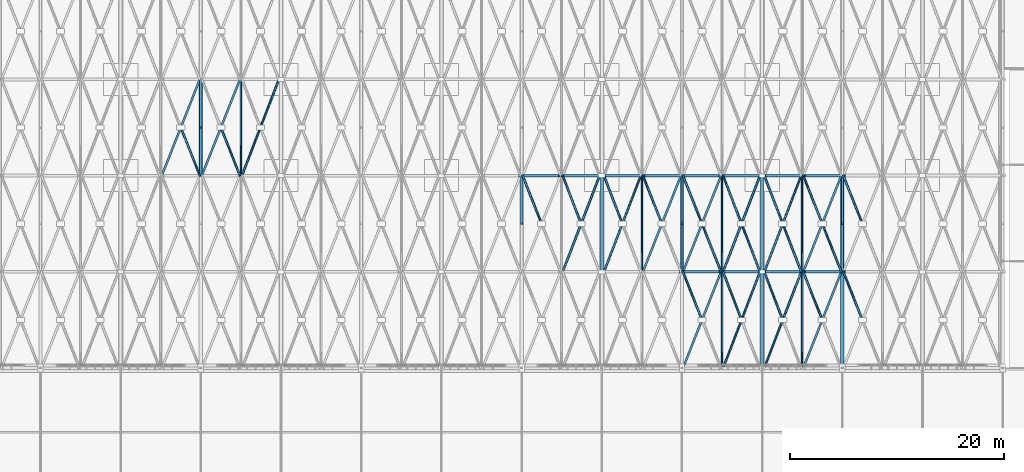
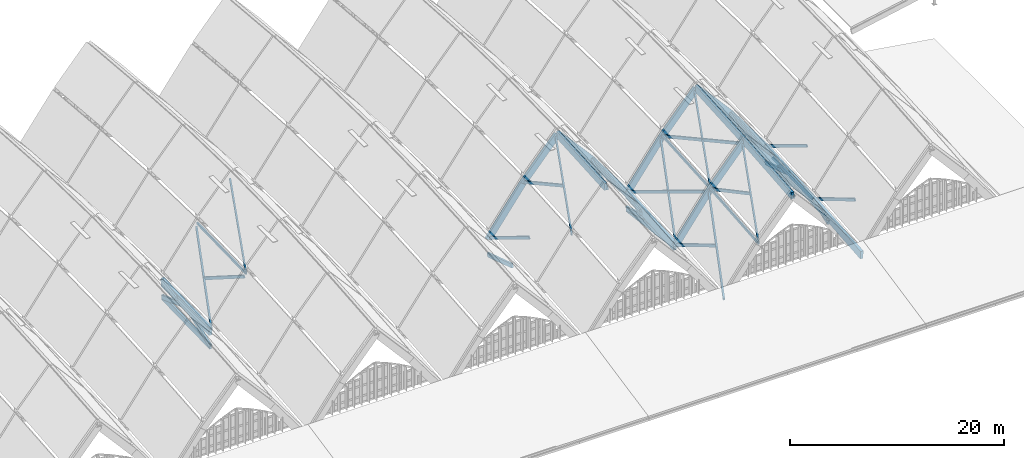
# One storey, part 36 of 93: 48 members, 19 beams.
"""IFC4 building model written with IfcOpenShell, lengths in metres."""

from ifc_helpers import new_model, si_unit, direction, frame, origin, origin_2d, place, context, subcontext, project, spatial, rectangle, extrude, material, material_profile, profile_set, type_object, element, save


model = new_model("IFC4")

# Units and contexts
model_context = context("Model", 3, precision=1e-05, world=origin(), true_north=direction((0.0, 1.0)))
body_context = subcontext(model_context, "Body", "Model", "MODEL_VIEW")
ifc_project = project(units=[si_unit("LENGTHUNIT", "METRE"), si_unit("AREAUNIT", "SQUARE_METRE"), si_unit("VOLUMEUNIT", "CUBIC_METRE"), si_unit("PLANEANGLEUNIT", "RADIAN"), si_unit("MASSUNIT", "GRAM", prefix="KILO")], contexts=[model_context])

# Site, building, storey
site_placement = place(None, origin())
site = spatial("IfcSite", under=ifc_project, at=site_placement, CompositionType="ELEMENT")
building_placement = place(site_placement, origin())
building = spatial("IfcBuilding", under=site, at=building_placement, Name="Vourika Railside Aquatics Centre", CompositionType="ELEMENT")
storey_placement = place(building_placement, frame((0.0, 0.0, 21.89990234375)))
storey = spatial("IfcBuildingStorey", under=building, at=storey_placement, Name="Roof", CompositionType="ELEMENT", Elevation=21.89990234375)

# Beams
ifc_material_1 = material(Name="Glulam GL32h", Category="wood")
ifc_material_profile_1 = material_profile(ifc_material_1, rectangle(XDim=0.239990234375, YDim=0.719970703125, at=origin_2d()), Name="GL32h 240x720")
ifc_profile_set_1 = profile_set([ifc_material_profile_1], Name="Glulam GL32h")
beam_type_1 = type_object("IfcBeamType", Name="BM-GL-ARCH-240x720", PredefinedType="BEAM", material=ifc_profile_set_1)
beam_1_placement = place(storey_placement, frame((96.0, 30.0, -10.314208984375), z_axis=(0.592401494544, 0.0, 0.805642891896), x_axis=(0.0, 1.0, 0.0)))
element("IfcBeam", 1, at=beam_1_placement, inside=storey, type_object=beam_type_1, Name="Pointed Glulam Vault Arch Rib GAR-0145", PredefinedType="BEAM", context=body_context, shape_type="SweptSolid", body=[
    extrude(rectangle(XDim=0.239990234375, YDim=0.719970703125, at=origin_2d()), origin(), (0.0, 0.0, 1.0), 6.330078125),
])
for number, where, z_axis, x_axis, name in (
    (2, (99.75, 30.0, -5.21435546875), (0.657258623263, 0.0, 0.75366511273), (0.0, 1.0, 0.0), "Pointed Glulam Vault Arch Rib GAR-0146"),
    (3, (103.5, 30.0, -0.914306640625), (0.657258623263, 0.0, -0.75366511273), (0.0, 1.0, 0.0), "Pointed Glulam Vault Arch Rib GAR-0147"),
):
    element("IfcBeam", number, at=place(storey_placement, frame(where, z_axis=z_axis, x_axis=x_axis)), inside=storey, type_object=beam_type_1, Name=name, PredefinedType="BEAM", context=body_context, shape_type="SweptSolid", body=[
        extrude(rectangle(XDim=0.239990234375, YDim=0.719970703125, at=origin_2d()), origin(), (0.0, 0.0, 1.0), 5.70556640625),
    ])
beam_2_placement = place(storey_placement, frame((107.25, 30.0, -5.21435546875), z_axis=(0.592401494544, 0.0, -0.805642891896), x_axis=(0.0, 1.0, 0.0)))
element("IfcBeam", 4, at=beam_2_placement, inside=storey, type_object=beam_type_1, Name="Pointed Glulam Vault Arch Rib GAR-0148", PredefinedType="BEAM", context=body_context, shape_type="SweptSolid", body=[
    extrude(rectangle(XDim=0.239990234375, YDim=0.719970703125, at=origin_2d()), origin(), (0.0, 0.0, 1.0), 6.330078125),
])
beam_3_placement = place(storey_placement, frame((111.0, 21.0, -10.89990234375), z_axis=(0.592383087934, 0.0, 0.805656426233), x_axis=(0.0, 1.0, 0.0)))
element("IfcBeam", 5, at=beam_3_placement, inside=storey, type_object=beam_type_1, Name="Pointed Glulam Vault Arch Rib GAR-0175", PredefinedType="BEAM", context=body_context, shape_type="SweptSolid", body=[
    extrude(rectangle(XDim=0.239990234375, YDim=0.719970703125, at=origin_2d()), origin(), (0.0, 0.0, 1.0), 6.330322265625),
])
for number, where, z_axis, x_axis, name in (
    (6, (114.75, 21.0, -5.7998046875), (0.657279819973, 0.0, 0.753646626912), (0.0, 1.0, 0.0), "Pointed Glulam Vault Arch Rib GAR-0176"),
    (7, (118.5, 21.0, -1.5), (0.657279819973, 0.0, -0.753646626912), (0.0, 1.0, 0.0), "Pointed Glulam Vault Arch Rib GAR-0177"),
):
    element("IfcBeam", number, at=place(storey_placement, frame(where, z_axis=z_axis, x_axis=x_axis)), inside=storey, type_object=beam_type_1, Name=name, PredefinedType="BEAM", context=body_context, shape_type="SweptSolid", body=[
        extrude(rectangle(XDim=0.239990234375, YDim=0.719970703125, at=origin_2d()), origin(), (0.0, 0.0, 1.0), 5.705322265625),
    ])
beam_4_placement = place(storey_placement, frame((122.25, 21.0, -5.7998046875), z_axis=(0.592383087934, 0.0, -0.805656426233), x_axis=(0.0, 1.0, 0.0)))
element("IfcBeam", 8, at=beam_4_placement, inside=storey, type_object=beam_type_1, Name="Pointed Glulam Vault Arch Rib GAR-0178", PredefinedType="BEAM", context=body_context, shape_type="SweptSolid", body=[
    extrude(rectangle(XDim=0.239990234375, YDim=0.719970703125, at=origin_2d()), origin(), (0.0, 0.0, 1.0), 6.330322265625),
])
beam_5_placement = place(storey_placement, frame((111.0, 30.0, -10.314208984375), z_axis=(0.592401494544, 0.0, 0.805642891896), x_axis=(0.0, 1.0, 0.0)))
element("IfcBeam", 9, at=beam_5_placement, inside=storey, type_object=beam_type_1, Name="Pointed Glulam Vault Arch Rib GAR-0179", PredefinedType="BEAM", context=body_context, shape_type="SweptSolid", body=[
    extrude(rectangle(XDim=0.239990234375, YDim=0.719970703125, at=origin_2d()), origin(), (0.0, 0.0, 1.0), 6.330078125),
])
for number, where, z_axis, x_axis, name in (
    (10, (114.75, 30.0, -5.21435546875), (0.657258623263, 0.0, 0.75366511273), (0.0, 1.0, 0.0), "Pointed Glulam Vault Arch Rib GAR-0180"),
    (11, (118.5, 30.0, -0.914306640625), (0.657258623263, 0.0, -0.75366511273), (0.0, 1.0, 0.0), "Pointed Glulam Vault Arch Rib GAR-0181"),
):
    element("IfcBeam", number, at=place(storey_placement, frame(where, z_axis=z_axis, x_axis=x_axis)), inside=storey, type_object=beam_type_1, Name=name, PredefinedType="BEAM", context=body_context, shape_type="SweptSolid", body=[
        extrude(rectangle(XDim=0.239990234375, YDim=0.719970703125, at=origin_2d()), origin(), (0.0, 0.0, 1.0), 5.70556640625),
    ])
beam_6_placement = place(storey_placement, frame((122.25, 30.0, -5.21435546875), z_axis=(0.592401494544, 0.0, -0.805642891896), x_axis=(0.0, 1.0, 0.0)))
element("IfcBeam", 12, at=beam_6_placement, inside=storey, type_object=beam_type_1, Name="Pointed Glulam Vault Arch Rib GAR-0182", PredefinedType="BEAM", context=body_context, shape_type="SweptSolid", body=[
    extrude(rectangle(XDim=0.239990234375, YDim=0.719970703125, at=origin_2d()), origin(), (0.0, 0.0, 1.0), 6.330078125),
])
ifc_material_profile_2 = material_profile(ifc_material_1, rectangle(XDim=0.280029296875, YDim=0.800048828125, at=origin_2d()), Name="GL32h 280x800")
ifc_profile_set_2 = profile_set([ifc_material_profile_2], Name="Glulam GL32h")
beam_type_2 = type_object("IfcBeamType", Name="BM-GL-RIDGE-280x800", PredefinedType="BEAM", material=ifc_profile_set_2)
beam_7_placement = place(storey_placement, frame((103.5, 21.0, -1.5), z_axis=(0.0, 0.997889191565, 0.064939674766), x_axis=(-1.0, 0.0, 0.0)))
element("IfcBeam", 13, at=beam_7_placement, inside=storey, type_object=beam_type_2, Name="Vault Pointed Ridge Beam GRB-0166", PredefinedType="BEAM", context=body_context, shape_type="SweptSolid", body=[
    extrude(rectangle(XDim=0.280029296875, YDim=0.800048828125, at=origin_2d()), origin(), (0.0, 0.0, 1.0), 9.01904296875),
])
beam_8_placement = place(storey_placement, frame((118.5, 12.0, -2.2998046875), z_axis=(0.0, 0.996074546839, 0.088518343518), x_axis=(-1.0, 0.0, 0.0)))
element("IfcBeam", 14, at=beam_8_placement, inside=storey, type_object=beam_type_2, Name="Vault Pointed Ridge Beam GRB-0199", PredefinedType="BEAM", context=body_context, shape_type="SweptSolid", body=[
    extrude(rectangle(XDim=0.280029296875, YDim=0.800048828125, at=origin_2d()), origin(), (0.0, 0.0, 1.0), 9.035400390625),
])
beam_9_placement = place(storey_placement, frame((118.5, 21.0, -1.5), z_axis=(0.0, 0.997889191565, 0.064939674766), x_axis=(-1.0, 0.0, 0.0)))
element("IfcBeam", 15, at=beam_9_placement, inside=storey, type_object=beam_type_2, Name="Vault Pointed Ridge Beam GRB-0200", PredefinedType="BEAM", context=body_context, shape_type="SweptSolid", body=[
    extrude(rectangle(XDim=0.280029296875, YDim=0.800048828125, at=origin_2d()), origin(), (0.0, 0.0, 1.0), 9.01904296875),
])
ifc_material_profile_3 = material_profile(ifc_material_1, rectangle(XDim=0.300048828125, YDim=0.89990234375, at=origin_2d()), Name="GL32h 300x900")
ifc_profile_set_3 = profile_set([ifc_material_profile_3], Name="Glulam GL32h")
beam_type_3 = type_object("IfcBeamType", Name="BM-GL-VAL-300x900", PredefinedType="BEAM", material=ifc_profile_set_3)
beam_10_placement = place(storey_placement, frame((126.0, 12.0, -11.699951171875), z_axis=(0.0, 0.996072164085, 0.088545151956), x_axis=(-1.0, 0.0, 0.0)))
element("IfcBeam", 16, at=beam_10_placement, inside=storey, type_object=beam_type_3, Name="Vault Valley Arch Rib VTR-037", PredefinedType="BEAM", context=body_context, shape_type="SweptSolid", body=[
    extrude(rectangle(XDim=0.300048828125, YDim=0.89990234375, at=origin_2d()), origin(), (0.0, 0.0, 1.0), 9.035400390625),
])
beam_11_placement = place(storey_placement, frame((126.0, 21.0, -10.89990234375), z_axis=(0.0, 0.997889191565, 0.064939674766), x_axis=(-1.0, 0.0, 0.0)))
element("IfcBeam", 17, at=beam_11_placement, inside=storey, type_object=beam_type_3, Name="Vault Valley Arch Rib VTR-038", PredefinedType="BEAM", context=body_context, shape_type="SweptSolid", body=[
    extrude(rectangle(XDim=0.300048828125, YDim=0.89990234375, at=origin_2d()), origin(), (0.0, 0.0, 1.0), 9.01904296875),
])
ifc_material_profile_4 = material_profile(ifc_material_1, rectangle(XDim=0.320068359375, YDim=0.9599609375, at=origin_2d()), Name="GL32h 320x960")
ifc_profile_set_4 = profile_set([ifc_material_profile_4], Name="Glulam GL32h")
beam_type_4 = type_object("IfcBeamType", Name="BM-GL-VAL-320x960", PredefinedType="BEAM", material=ifc_profile_set_4)
beam_12_placement = place(storey_placement, frame((66.0, 30.0, -10.314208984375), z_axis=(0.0, 0.999716489335, 0.023810521854), x_axis=(-1.0, 0.0, 0.0)))
element("IfcBeam", 18, at=beam_12_placement, inside=storey, type_object=beam_type_4, Name="Vault Valley Arch Rib VTR-015", PredefinedType="BEAM", context=body_context, shape_type="SweptSolid", body=[
    extrude(rectangle(XDim=0.320068359375, YDim=0.9599609375, at=origin_2d()), origin(), (0.0, 0.0, 1.0), 9.00244140625),
])
beam_13_placement = place(storey_placement, frame((111.0, 21.0, -10.89990234375), z_axis=(0.0, 0.997889191565, 0.064939674766), x_axis=(-1.0, 0.0, 0.0)))
element("IfcBeam", 19, at=beam_13_placement, inside=storey, type_object=beam_type_4, Name="Vault Valley Arch Rib VTR-032", PredefinedType="BEAM", context=body_context, shape_type="SweptSolid", body=[
    extrude(rectangle(XDim=0.320068359375, YDim=0.9599609375, at=origin_2d()), origin(), (0.0, 0.0, 1.0), 9.01904296875),
])

# Members
ifc_material_profile_5 = material_profile(ifc_material_1, rectangle(XDim=0.219970703125, YDim=0.60009765625, at=origin_2d()), Name="GL32h 220x600")
ifc_profile_set_5 = profile_set([ifc_material_profile_5], Name="Glulam GL32h")
member_type_1 = type_object("IfcMemberType", Name="MEM-GL-CHORD", PredefinedType="CHORD", material=ifc_profile_set_5)
member_1_placement = place(storey_placement, frame((66.0, 30.0, -12.064208984375), z_axis=(0.0, 0.999716489335, 0.023810521854), x_axis=(-1.0, 0.0, 0.0)))
element("IfcMember", 20, at=member_1_placement, inside=storey, type_object=member_type_1, Name="Valley Arch Truss Bottom Chord VBC-015", PredefinedType="CHORD", context=body_context, shape_type="SweptSolid", body=[
    extrude(rectangle(XDim=0.219970703125, YDim=0.60009765625, at=origin_2d()), origin(), (0.0, 0.0, 1.0), 9.00244140625),
])
for number, where, z_axis, x_axis, name in (
    (21, (111.0, 21.0, -10.89990234375), (0.0, 0.991735627786, -0.128298264131), (-1.0, 0.0, 0.0), "Valley Arch Truss Bottom Chord VBC-032"),
    (22, (126.0, 21.0, -10.89990234375), (0.0, 0.991735627786, -0.128298264131), (-1.0, 0.0, 0.0), "Valley Arch Truss Bottom Chord VBC-038"),
):
    element("IfcMember", number, at=place(storey_placement, frame(where, z_axis=z_axis, x_axis=x_axis)), inside=storey, type_object=member_type_1, Name=name, PredefinedType="CHORD", context=body_context, shape_type="SweptSolid", body=[
        extrude(rectangle(XDim=0.219970703125, YDim=0.60009765625, at=origin_2d()), origin(), (0.0, 0.0, 1.0), 9.074951171875),
    ])
ifc_material_2 = material(Name="Glulam GL28h", Category="wood")
ifc_material_profile_6 = material_profile(ifc_material_2, rectangle(XDim=0.179931640625, YDim=0.360107421875, at=origin_2d()), Name="GL28h 180x360")
ifc_profile_set_6 = profile_set([ifc_material_profile_6], Name="Glulam GL28h")
member_type_2 = type_object("IfcMemberType", Name="MEM-GL-LATH1", PredefinedType="BRACE", material=ifc_profile_set_6)
member_2_placement = place(storey_placement, frame((62.344970703125, 30.0, -5.339111328125), z_axis=(0.331795949467, 0.838796178929, -0.431662389064), x_axis=(-0.929892910811, 0.367830360933, 0.0)))
element("IfcMember", 23, at=member_2_placement, inside=storey, type_object=member_type_2, Name="Gridshell Continuous Diagonal Lath GLA-0079", PredefinedType="BRACE", context=body_context, shape_type="SweptSolid", body=[
    extrude(rectangle(XDim=0.179931640625, YDim=0.360107421875, at=origin_2d()), origin(), (0.0, 0.0, 1.0), 10.729736328125),
])
member_3_placement = place(storey_placement, frame((66.094970703125, 30.0, -10.1806640625), z_axis=(0.326087343629, 0.824364547766, 0.462698753739), x_axis=(-0.929892910811, 0.367830360933, 0.0)))
element("IfcMember", 24, at=member_3_placement, inside=storey, type_object=member_type_2, Name="Gridshell Continuous Diagonal Lath GLA-0133", PredefinedType="BRACE", context=body_context, shape_type="SweptSolid", body=[
    extrude(rectangle(XDim=0.179931640625, YDim=0.360107421875, at=origin_2d()), origin(), (0.0, 0.0, 1.0), 10.91748046875),
])
member_4_placement = place(storey_placement, frame((107.344970703125, 21.0, -5.92138671875), z_axis=(0.336558619113, 0.85083643773, -0.403491824121), x_axis=(-0.929892910811, 0.367830360933, 0.0)))
element("IfcMember", 25, at=member_4_placement, inside=storey, type_object=member_type_2, Name="Gridshell Continuous Diagonal Lath GLA-0249", PredefinedType="BRACE", context=body_context, shape_type="SweptSolid", body=[
    extrude(rectangle(XDim=0.179931640625, YDim=0.360107421875, at=origin_2d()), origin(), (0.0, 0.0, 1.0), 10.577880859375),
])
member_5_placement = place(storey_placement, frame((111.094970703125, 12.0, -11.56201171875), z_axis=(0.318017835503, 0.80396444164, 0.502499584956), x_axis=(-0.929892910811, 0.367830360933, 0.0)))
element("IfcMember", 26, at=member_5_placement, inside=storey, type_object=member_type_2, Name="Gridshell Continuous Diagonal Lath GLA-0293", PredefinedType="BRACE", context=body_context, shape_type="SweptSolid", body=[
    extrude(rectangle(XDim=0.179931640625, YDim=0.360107421875, at=origin_2d()), origin(), (0.0, 0.0, 1.0), 11.194580078125),
])
member_6_placement = place(storey_placement, frame((122.344970703125, 12.0, -6.72021484375), z_axis=(0.339219023139, 0.857562067548, -0.386675257346), x_axis=(-0.929892910811, 0.367830360933, 0.0)))
element("IfcMember", 27, at=member_6_placement, inside=storey, type_object=member_type_2, Name="Gridshell Continuous Diagonal Lath GLA-0299", PredefinedType="BRACE", context=body_context, shape_type="SweptSolid", body=[
    extrude(rectangle(XDim=0.179931640625, YDim=0.360107421875, at=origin_2d()), origin(), (0.0, 0.0, 1.0), 10.494873046875),
])
member_7_placement = place(storey_placement, frame((111.094970703125, 21.0, -10.76318359375), z_axis=(0.321000574365, 0.811504949484, 0.488281013577), x_axis=(-0.929892910811, 0.367830360933, 0.0)))
element("IfcMember", 28, at=member_7_placement, inside=storey, type_object=member_type_2, Name="Gridshell Continuous Diagonal Lath GLA-0303", PredefinedType="BRACE", context=body_context, shape_type="SweptSolid", body=[
    extrude(rectangle(XDim=0.179931640625, YDim=0.360107421875, at=origin_2d()), origin(), (0.0, 0.0, 1.0), 11.090576171875),
])
member_8_placement = place(storey_placement, frame((122.344970703125, 21.0, -5.92138671875), z_axis=(0.336558619113, 0.85083643773, -0.403491824121), x_axis=(-0.929892910811, 0.367830360933, 0.0)))
element("IfcMember", 29, at=member_8_placement, inside=storey, type_object=member_type_2, Name="Gridshell Continuous Diagonal Lath GLA-0309", PredefinedType="BRACE", context=body_context, shape_type="SweptSolid", body=[
    extrude(rectangle(XDim=0.179931640625, YDim=0.360107421875, at=origin_2d()), origin(), (0.0, 0.0, 1.0), 10.577880859375),
])
ifc_material_profile_7 = material_profile(ifc_material_2, rectangle(XDim=0.159912109375, YDim=0.320068359375, at=origin_2d()), Name="GL28h 160x320")
ifc_profile_set_7 = profile_set([ifc_material_profile_7], Name="Glulam GL28h")
member_type_3 = type_object("IfcMemberType", Name="MEM-GL-LATH2", PredefinedType="BRACE", material=ifc_profile_set_7)
member_9_placement = place(storey_placement, frame((65.905029296875, 30.0, -10.1806640625), z_axis=(-0.326083969568, 0.824356017978, 0.462716328234), x_axis=(-0.929892910811, -0.367830360933, 0.0)))
element("IfcMember", 30, at=member_9_placement, inside=storey, type_object=member_type_3, Name="Gridshell Split Counter Lath GLB1-0080", PredefinedType="BRACE", context=body_context, shape_type="SweptSolid", body=[
    extrude(rectangle(XDim=0.159912109375, YDim=0.320068359375, at=origin_2d()), origin(), (0.0, 0.0, 1.0), 5.458740234375),
])
member_10_placement = place(storey_placement, frame((69.655029296875, 30.0, -5.339111328125), z_axis=(-0.331799208316, 0.838804417456, -0.43164387476), x_axis=(-0.929892910811, -0.367830360933, 0.0)))
element("IfcMember", 31, at=member_10_placement, inside=storey, type_object=member_type_3, Name="Gridshell Split Counter Lath GLB1-0134", PredefinedType="BRACE", context=body_context, shape_type="SweptSolid", body=[
    extrude(rectangle(XDim=0.159912109375, YDim=0.320068359375, at=origin_2d()), origin(), (0.0, 0.0, 1.0), 5.36474609375),
])
member_11_placement = place(storey_placement, frame((69.844970703125, 30.0, -5.100830078125), z_axis=(0.32892073085, 0.856792949552, 0.397135989827), x_axis=(-0.933569951957, 0.358395235463, 0.0)))
element("IfcMember", 32, at=member_11_placement, inside=storey, type_object=member_type_3, Name="Gridshell Continuous Diagonal Lath GLA-0135", PredefinedType="BRACE", context=body_context, shape_type="SweptSolid", body=[
    extrude(rectangle(XDim=0.159912109375, YDim=0.320068359375, at=origin_2d()), origin(), (0.0, 0.0, 1.0), 10.50439453125),
])
member_12_placement = place(storey_placement, frame((97.875, 25.5, -8.055419921875), z_axis=(-0.336558619113, 0.85083643773, -0.403491824121), x_axis=(-0.929892910811, -0.367830360933, 0.0)))
element("IfcMember", 33, at=member_12_placement, inside=storey, type_object=member_type_3, Name="Gridshell Split Counter Lath GLB2-0244", PredefinedType="BRACE", context=body_context, shape_type="SweptSolid", body=[
    extrude(rectangle(XDim=0.159912109375, YDim=0.320068359375, at=origin_2d()), origin(), (0.0, 0.0, 1.0), 5.288818359375),
])
member_13_placement = place(storey_placement, frame((99.844970703125, 21.0, -5.683349609375), z_axis=(0.324299099527, 0.844754240035, 0.425699856693), x_axis=(-0.933569951957, 0.358395235463, 0.0)))
element("IfcMember", 34, at=member_13_placement, inside=storey, type_object=member_type_3, Name="Gridshell Continuous Diagonal Lath GLA-0245", PredefinedType="BRACE", context=body_context, shape_type="SweptSolid", body=[
    extrude(rectangle(XDim=0.159912109375, YDim=0.320068359375, at=origin_2d()), origin(), (0.0, 0.0, 1.0), 10.654052734375),
])
member_14_placement = place(storey_placement, frame((101.572509765625, 25.5, -3.415771484375), z_axis=(-0.338120523205, 0.8807571345, -0.331574097021), x_axis=(-0.933569951957, -0.358395235463, 0.0)))
element("IfcMember", 35, at=member_14_placement, inside=storey, type_object=member_type_3, Name="Gridshell Split Counter Lath GLB2-0246", PredefinedType="BRACE", context=body_context, shape_type="SweptSolid", body=[
    extrude(rectangle(XDim=0.159912109375, YDim=0.320068359375, at=origin_2d()), origin(), (0.0, 0.0, 1.0), 5.109130859375),
])
member_15_placement = place(storey_placement, frame((103.699951171875, 21.0, -1.7216796875), z_axis=(0.338120523205, 0.8807571345, -0.331574097021), x_axis=(-0.933569951957, 0.358395235463, 0.0)))
element("IfcMember", 36, at=member_15_placement, inside=storey, type_object=member_type_3, Name="Gridshell Continuous Diagonal Lath GLA-0247", PredefinedType="BRACE", context=body_context, shape_type="SweptSolid", body=[
    extrude(rectangle(XDim=0.159912109375, YDim=0.320068359375, at=origin_2d()), origin(), (0.0, 0.0, 1.0), 10.218505859375),
])
member_16_placement = place(storey_placement, frame((105.427490234375, 25.5, -3.415771484375), z_axis=(-0.324295935921, 0.844745999277, 0.425718619102), x_axis=(-0.933569951957, -0.358395235463, 0.0)))
element("IfcMember", 37, at=member_16_placement, inside=storey, type_object=member_type_3, Name="Gridshell Split Counter Lath GLB2-0248", PredefinedType="BRACE", context=body_context, shape_type="SweptSolid", body=[
    extrude(rectangle(XDim=0.159912109375, YDim=0.320068359375, at=origin_2d()), origin(), (0.0, 0.0, 1.0), 5.3271484375),
])
member_17_placement = place(storey_placement, frame((109.125, 25.5, -8.055419921875), z_axis=(-0.321004024702, 0.811513672104, 0.488264248244), x_axis=(-0.929892910811, -0.367830360933, 0.0)))
element("IfcMember", 38, at=member_17_placement, inside=storey, type_object=member_type_3, Name="Gridshell Split Counter Lath GLB2-0250", PredefinedType="BRACE", context=body_context, shape_type="SweptSolid", body=[
    extrude(rectangle(XDim=0.159912109375, YDim=0.320068359375, at=origin_2d()), origin(), (0.0, 0.0, 1.0), 5.545166015625),
])
member_18_placement = place(storey_placement, frame((112.875, 16.5, -8.74951171875), z_axis=(-0.339225125603, 0.857577494874, -0.386635686979), x_axis=(-0.929892910811, -0.367830360933, 0.0)))
element("IfcMember", 39, at=member_18_placement, inside=storey, type_object=member_type_3, Name="Gridshell Split Counter Lath GLB2-0294", PredefinedType="BRACE", context=body_context, shape_type="SweptSolid", body=[
    extrude(rectangle(XDim=0.159912109375, YDim=0.320068359375, at=origin_2d()), origin(), (0.0, 0.0, 1.0), 5.247314453125),
])
member_19_placement = place(storey_placement, frame((114.844970703125, 12.0, -6.482177734375), z_axis=(0.321550791273, 0.837595277664, 0.441632471028), x_axis=(-0.933569951957, 0.358395235463, 0.0)))
element("IfcMember", 40, at=member_19_placement, inside=storey, type_object=member_type_3, Name="Gridshell Continuous Diagonal Lath GLA-0295", PredefinedType="BRACE", context=body_context, shape_type="SweptSolid", body=[
    extrude(rectangle(XDim=0.159912109375, YDim=0.320068359375, at=origin_2d()), origin(), (0.0, 0.0, 1.0), 10.7451171875),
])
member_20_placement = place(storey_placement, frame((116.572509765625, 16.5, -4.109619140625), z_axis=(-0.340380210662, 0.886643307367, -0.313057435131), x_axis=(-0.933569951957, -0.358395235463, 0.0)))
element("IfcMember", 41, at=member_20_placement, inside=storey, type_object=member_type_3, Name="Gridshell Split Counter Lath GLB2-0296", PredefinedType="BRACE", context=body_context, shape_type="SweptSolid", body=[
    extrude(rectangle(XDim=0.159912109375, YDim=0.320068359375, at=origin_2d()), origin(), (0.0, 0.0, 1.0), 5.075439453125),
])
member_21_placement = place(storey_placement, frame((118.699951171875, 12.0, -2.5205078125), z_axis=(0.340377647674, 0.886636631138, -0.313079129436), x_axis=(-0.933569951957, 0.358395235463, 0.0)))
element("IfcMember", 42, at=member_21_placement, inside=storey, type_object=member_type_3, Name="Gridshell Continuous Diagonal Lath GLA-0297", PredefinedType="BRACE", context=body_context, shape_type="SweptSolid", body=[
    extrude(rectangle(XDim=0.159912109375, YDim=0.320068359375, at=origin_2d()), origin(), (0.0, 0.0, 1.0), 10.150634765625),
])
member_22_placement = place(storey_placement, frame((120.427490234375, 16.5, -4.109619140625), z_axis=(-0.32154756466, 0.837586872782, 0.441650760448), x_axis=(-0.933569951957, -0.358395235463, 0.0)))
element("IfcMember", 43, at=member_22_placement, inside=storey, type_object=member_type_3, Name="Gridshell Split Counter Lath GLB2-0298", PredefinedType="BRACE", context=body_context, shape_type="SweptSolid", body=[
    extrude(rectangle(XDim=0.159912109375, YDim=0.320068359375, at=origin_2d()), origin(), (0.0, 0.0, 1.0), 5.37255859375),
])
member_23_placement = place(storey_placement, frame((124.125, 16.5, -8.74951171875), z_axis=(-0.318014350334, 0.803955630964, 0.502515886737), x_axis=(-0.929892910811, -0.367830360933, 0.0)))
element("IfcMember", 44, at=member_23_placement, inside=storey, type_object=member_type_3, Name="Gridshell Split Counter Lath GLB2-0300", PredefinedType="BRACE", context=body_context, shape_type="SweptSolid", body=[
    extrude(rectangle(XDim=0.159912109375, YDim=0.320068359375, at=origin_2d()), origin(), (0.0, 0.0, 1.0), 5.597412109375),
])
for number, where, z_axis, x_axis, name in (
    (45, (114.655029296875, 21.0, -5.92138671875), (-0.336558619113, 0.85083643773, -0.403491824121), (-0.929892910811, -0.367830360933, 0.0), "Gridshell Split Counter Lath GLB1-0304"),
    (46, (112.875, 25.5, -8.055419921875), (-0.336558619113, 0.85083643773, -0.403491824121), (-0.929892910811, -0.367830360933, 0.0), "Gridshell Split Counter Lath GLB2-0304"),
):
    element("IfcMember", number, at=place(storey_placement, frame(where, z_axis=z_axis, x_axis=x_axis)), inside=storey, type_object=member_type_3, Name=name, PredefinedType="BRACE", context=body_context, shape_type="SweptSolid", body=[
        extrude(rectangle(XDim=0.159912109375, YDim=0.320068359375, at=origin_2d()), origin(), (0.0, 0.0, 1.0), 5.288818359375),
    ])
member_24_placement = place(storey_placement, frame((114.844970703125, 21.0, -5.683349609375), z_axis=(0.324299099527, 0.844754240035, 0.425699856693), x_axis=(-0.933569951957, 0.358395235463, 0.0)))
element("IfcMember", 47, at=member_24_placement, inside=storey, type_object=member_type_3, Name="Gridshell Continuous Diagonal Lath GLA-0305", PredefinedType="BRACE", context=body_context, shape_type="SweptSolid", body=[
    extrude(rectangle(XDim=0.159912109375, YDim=0.320068359375, at=origin_2d()), origin(), (0.0, 0.0, 1.0), 10.654052734375),
])
for number, where, z_axis, x_axis, name in (
    (48, (118.300048828125, 21.0, -1.7216796875), (-0.338120523205, 0.8807571345, -0.331574097021), (-0.933569951957, -0.358395235463, 0.0), "Gridshell Split Counter Lath GLB1-0306"),
    (49, (116.572509765625, 25.5, -3.415771484375), (-0.338120523205, 0.8807571345, -0.331574097021), (-0.933569951957, -0.358395235463, 0.0), "Gridshell Split Counter Lath GLB2-0306"),
):
    element("IfcMember", number, at=place(storey_placement, frame(where, z_axis=z_axis, x_axis=x_axis)), inside=storey, type_object=member_type_3, Name=name, PredefinedType="BRACE", context=body_context, shape_type="SweptSolid", body=[
        extrude(rectangle(XDim=0.159912109375, YDim=0.320068359375, at=origin_2d()), origin(), (0.0, 0.0, 1.0), 5.109130859375),
    ])
member_25_placement = place(storey_placement, frame((118.699951171875, 21.0, -1.7216796875), z_axis=(0.338120523205, 0.8807571345, -0.331574097021), x_axis=(-0.933569951957, 0.358395235463, 0.0)))
element("IfcMember", 50, at=member_25_placement, inside=storey, type_object=member_type_3, Name="Gridshell Continuous Diagonal Lath GLA-0307", PredefinedType="BRACE", context=body_context, shape_type="SweptSolid", body=[
    extrude(rectangle(XDim=0.159912109375, YDim=0.320068359375, at=origin_2d()), origin(), (0.0, 0.0, 1.0), 10.218505859375),
])
member_26_placement = place(storey_placement, frame((122.155029296875, 21.0, -5.683349609375), z_axis=(-0.324302263056, 0.84476248059, 0.425681093735), x_axis=(-0.933569951957, -0.358395235463, 0.0)))
element("IfcMember", 51, at=member_26_placement, inside=storey, type_object=member_type_3, Name="Gridshell Split Counter Lath GLB1-0308", PredefinedType="BRACE", context=body_context, shape_type="SweptSolid", body=[
    extrude(rectangle(XDim=0.159912109375, YDim=0.320068359375, at=origin_2d()), origin(), (0.0, 0.0, 1.0), 5.326904296875),
])
member_27_placement = place(storey_placement, frame((120.427490234375, 25.5, -3.415771484375), z_axis=(-0.324295935921, 0.844745999277, 0.425718619102), x_axis=(-0.933569951957, -0.358395235463, 0.0)))
element("IfcMember", 52, at=member_27_placement, inside=storey, type_object=member_type_3, Name="Gridshell Split Counter Lath GLB2-0308", PredefinedType="BRACE", context=body_context, shape_type="SweptSolid", body=[
    extrude(rectangle(XDim=0.159912109375, YDim=0.320068359375, at=origin_2d()), origin(), (0.0, 0.0, 1.0), 5.3271484375),
])
member_28_placement = place(storey_placement, frame((125.905029296875, 21.0, -10.76318359375), z_axis=(-0.320997123983, 0.811496226753, 0.48829777837), x_axis=(-0.929892910811, -0.367830360933, 0.0)))
element("IfcMember", 53, at=member_28_placement, inside=storey, type_object=member_type_3, Name="Gridshell Split Counter Lath GLB1-0310", PredefinedType="BRACE", context=body_context, shape_type="SweptSolid", body=[
    extrude(rectangle(XDim=0.159912109375, YDim=0.320068359375, at=origin_2d()), origin(), (0.0, 0.0, 1.0), 5.54541015625),
])
member_29_placement = place(storey_placement, frame((124.125, 25.5, -8.055419921875), z_axis=(-0.321004024702, 0.811513672104, 0.488264248244), x_axis=(-0.929892910811, -0.367830360933, 0.0)))
element("IfcMember", 54, at=member_29_placement, inside=storey, type_object=member_type_3, Name="Gridshell Split Counter Lath GLB2-0310", PredefinedType="BRACE", context=body_context, shape_type="SweptSolid", body=[
    extrude(rectangle(XDim=0.159912109375, YDim=0.320068359375, at=origin_2d()), origin(), (0.0, 0.0, 1.0), 5.545166015625),
])
member_30_placement = place(storey_placement, frame((127.875, 16.5, -8.74951171875), z_axis=(-0.339225125603, 0.857577494874, -0.386635686979), x_axis=(-0.929892910811, -0.367830360933, 0.0)))
element("IfcMember", 55, at=member_30_placement, inside=storey, type_object=member_type_3, Name="Gridshell Split Counter Lath GLB2-0355", PredefinedType="BRACE", context=body_context, shape_type="SweptSolid", body=[
    extrude(rectangle(XDim=0.159912109375, YDim=0.320068359375, at=origin_2d()), origin(), (0.0, 0.0, 1.0), 5.247314453125),
])
member_31_placement = place(storey_placement, frame((127.875, 25.5, -8.055419921875), z_axis=(-0.336558619113, 0.85083643773, -0.403491824121), x_axis=(-0.929892910811, -0.367830360933, 0.0)))
element("IfcMember", 56, at=member_31_placement, inside=storey, type_object=member_type_3, Name="Gridshell Split Counter Lath GLB2-0366", PredefinedType="BRACE", context=body_context, shape_type="SweptSolid", body=[
    extrude(rectangle(XDim=0.159912109375, YDim=0.320068359375, at=origin_2d()), origin(), (0.0, 0.0, 1.0), 5.288818359375),
])
ifc_material_profile_8 = material_profile(ifc_material_2, rectangle(XDim=0.139892578125, YDim=0.280029296875, at=origin_2d()), Name="GL28h 140x280")
ifc_profile_set_8 = profile_set([ifc_material_profile_8], Name="Glulam GL28h")
member_type_4 = type_object("IfcMemberType", Name="MEM-GL-PURLIN", PredefinedType="PURLIN", material=ifc_profile_set_8)
member_32_placement = place(storey_placement, frame((69.75, 30.0, -4.9443359375), z_axis=(0.0, 0.999716489335, 0.023810521854), x_axis=(-1.0, 0.0, 0.0)))
element("IfcMember", 57, at=member_32_placement, inside=storey, type_object=member_type_4, Name="Vault Timber Purlin GTP-0131", PredefinedType="PURLIN", context=body_context, shape_type="SweptSolid", body=[
    extrude(rectangle(XDim=0.139892578125, YDim=0.280029296875, at=origin_2d()), origin(), (0.0, 0.0, 1.0), 9.00244140625),
])
member_33_placement = place(storey_placement, frame((107.25, 21.0, -5.52978515625), z_axis=(0.0, 0.997890945376, 0.064912719374), x_axis=(-1.0, 0.0, 0.0)))
element("IfcMember", 58, at=member_33_placement, inside=storey, type_object=member_type_4, Name="Vault Timber Purlin GTP-0242", PredefinedType="PURLIN", context=body_context, shape_type="SweptSolid", body=[
    extrude(rectangle(XDim=0.139892578125, YDim=0.280029296875, at=origin_2d()), origin(), (0.0, 0.0, 1.0), 9.01904296875),
])
for number, where, z_axis, x_axis, name in (
    (59, (114.75, 12.0, -6.329833984375), (0.0, 0.996072164085, 0.088545151956), (-1.0, 0.0, 0.0), "Vault Timber Purlin GTP-0291"),
    (60, (122.25, 12.0, -6.329833984375), (0.0, 0.996072164085, 0.088545151956), (-1.0, 0.0, 0.0), "Vault Timber Purlin GTP-0292"),
):
    element("IfcMember", number, at=place(storey_placement, frame(where, z_axis=z_axis, x_axis=x_axis)), inside=storey, type_object=member_type_4, Name=name, PredefinedType="PURLIN", context=body_context, shape_type="SweptSolid", body=[
        extrude(rectangle(XDim=0.139892578125, YDim=0.280029296875, at=origin_2d()), origin(), (0.0, 0.0, 1.0), 9.035400390625),
    ])
for number, where, z_axis, x_axis, name in (
    (61, (114.75, 21.0, -5.52978515625), (0.0, 0.997890945376, 0.064912719374), (-1.0, 0.0, 0.0), "Vault Timber Purlin GTP-0301"),
    (62, (122.25, 21.0, -5.52978515625), (0.0, 0.997890945376, 0.064912719374), (-1.0, 0.0, 0.0), "Vault Timber Purlin GTP-0302"),
):
    element("IfcMember", number, at=place(storey_placement, frame(where, z_axis=z_axis, x_axis=x_axis)), inside=storey, type_object=member_type_4, Name=name, PredefinedType="PURLIN", context=body_context, shape_type="SweptSolid", body=[
        extrude(rectangle(XDim=0.139892578125, YDim=0.280029296875, at=origin_2d()), origin(), (0.0, 0.0, 1.0), 9.01904296875),
    ])
ifc_material_profile_9 = material_profile(ifc_material_2, rectangle(XDim=0.199951171875, YDim=0.39990234375, at=origin_2d()), Name="GL28h 200x400")
ifc_profile_set_9 = profile_set([ifc_material_profile_9], Name="Glulam GL28h")
member_type_5 = type_object("IfcMemberType", Name="MEM-GL-STRUT1", PredefinedType="STRUT", material=ifc_profile_set_9)
member_34_placement = place(storey_placement, frame((126.0, 25.5, -10.607177734375), z_axis=(0.0, 0.95137335537, -0.308040157598), x_axis=(-1.0, 0.0, 0.0)))
element("IfcMember", 63, at=member_34_placement, inside=storey, type_object=member_type_5, Name="Valley Truss Web Strut VWB-038", PredefinedType="STRUT", context=body_context, shape_type="SweptSolid", body=[
    extrude(rectangle(XDim=0.199951171875, YDim=0.39990234375, at=origin_2d()), origin(), (0.0, 0.0, 1.0), 4.72998046875),
])
ifc_material_profile_10 = material_profile(ifc_material_2, rectangle(XDim=0.219970703125, YDim=0.43994140625, at=origin_2d()), Name="GL28h 220x440")
ifc_profile_set_10 = profile_set([ifc_material_profile_10], Name="Glulam GL28h")
member_type_6 = type_object("IfcMemberType", Name="MEM-GL-STRUT2", PredefinedType="STRUT", material=ifc_profile_set_10)
member_35_placement = place(storey_placement, frame((66.0, 30.0, -12.064208984375), z_axis=(0.0, 0.924371407103, 0.381493776792), x_axis=(-1.0, 0.0, 0.0)))
element("IfcMember", 64, at=member_35_placement, inside=storey, type_object=member_type_6, Name="Valley Truss Web Strut VWA-015", PredefinedType="STRUT", context=body_context, shape_type="SweptSolid", body=[
    extrude(rectangle(XDim=0.219970703125, YDim=0.43994140625, at=origin_2d()), origin(), (0.0, 0.0, 1.0), 4.8681640625),
])
member_36_placement = place(storey_placement, frame((66.0, 34.5, -10.20703125), z_axis=(0.0, 0.939359665163, -0.342933549635), x_axis=(-1.0, 0.0, 0.0)))
element("IfcMember", 65, at=member_36_placement, inside=storey, type_object=member_type_6, Name="Valley Truss Web Strut VWB-015", PredefinedType="STRUT", context=body_context, shape_type="SweptSolid", body=[
    extrude(rectangle(XDim=0.219970703125, YDim=0.43994140625, at=origin_2d()), origin(), (0.0, 0.0, 1.0), 4.79052734375),
])
for number, where, z_axis, x_axis, name in (
    (66, (96.0, 25.5, -10.607177734375), (0.0, 0.95137335537, -0.308040157598), (-1.0, 0.0, 0.0), "Valley Truss Web Strut VWB-026"),
    (67, (111.0, 25.5, -10.607177734375), (0.0, 0.95137335537, -0.308040157598), (-1.0, 0.0, 0.0), "Valley Truss Web Strut VWB-032"),
):
    element("IfcMember", number, at=place(storey_placement, frame(where, z_axis=z_axis, x_axis=x_axis)), inside=storey, type_object=member_type_6, Name=name, PredefinedType="STRUT", context=body_context, shape_type="SweptSolid", body=[
        extrude(rectangle(XDim=0.219970703125, YDim=0.43994140625, at=origin_2d()), origin(), (0.0, 0.0, 1.0), 4.72998046875),
    ])

save(model, "model.ifc")
